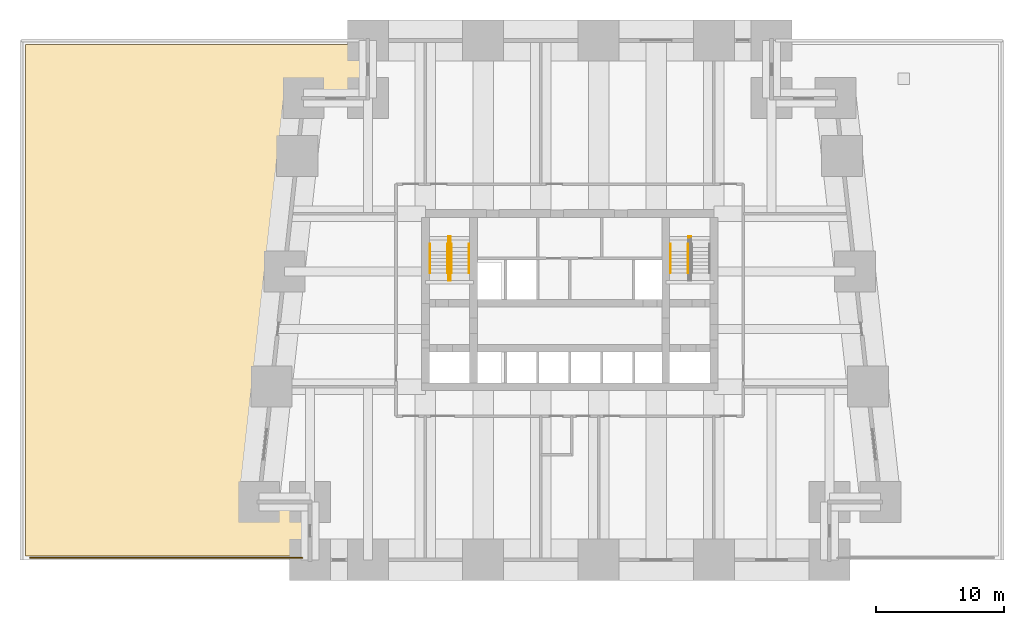
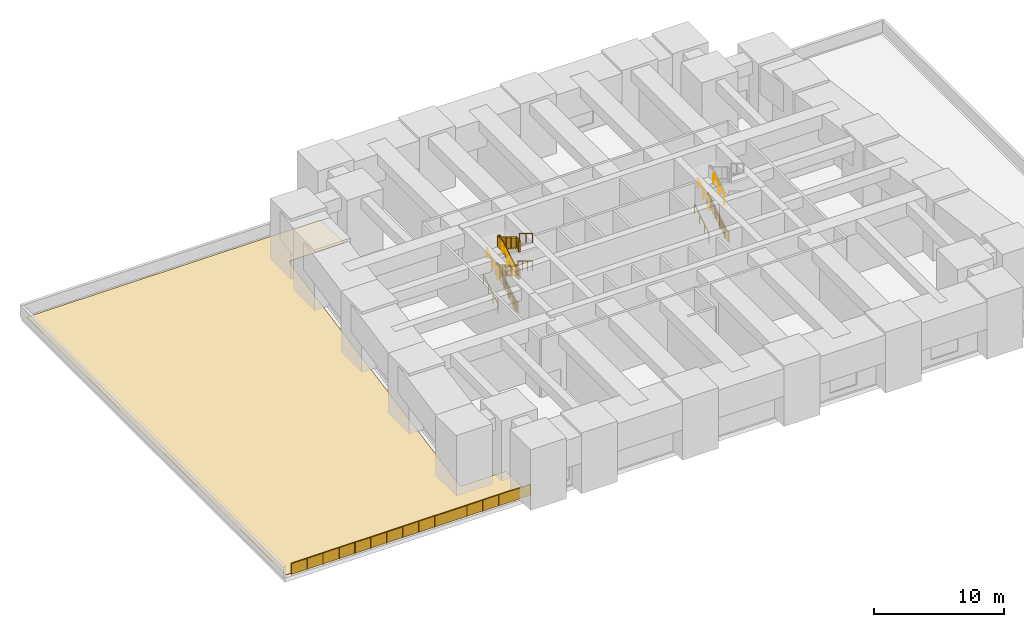
# One storey, part 6 of 7: 18 railings, 1 covering.
"""IFC4 building model written with IfcOpenShell, lengths in metres."""

from ifc_helpers import new_model, si_unit, direction, frame, origin, origin_2d, place, context, subcontext, project, spatial, polyline, circle, outline, extrude, material, layer, layer_set, type_object, element, save


model = new_model("IFC4")

# Units and contexts
model_context = context("Model", 3, precision=1e-05, world=origin(), true_north=direction((0.0, 1.0)))
body_context = subcontext(model_context, "Body", "Model", "MODEL_VIEW")
ifc_project = project(units=[si_unit("LENGTHUNIT", "METRE"), si_unit("AREAUNIT", "SQUARE_METRE"), si_unit("VOLUMEUNIT", "CUBIC_METRE"), si_unit("PLANEANGLEUNIT", "RADIAN"), si_unit("MASSUNIT", "GRAM", prefix="KILO")], contexts=[model_context])

# Site, building, storey
site_placement = place(None, origin())
site = spatial("IfcSite", under=ifc_project, at=site_placement, CompositionType="ELEMENT")
building_placement = place(site_placement, origin())
building = spatial("IfcBuilding", under=site, at=building_placement, Name="Kilele Tower Hotel", CompositionType="ELEMENT")
storey_placement = place(building_placement, frame((0.0, 0.0, 24.0)))
storey = spatial("IfcBuildingStorey", under=building, at=storey_placement, Name="L04", CompositionType="ELEMENT", Elevation=24.0)

# Railings
ifc_material_1 = material(Name="Toughened laminated glass balustrade", Category="glass")
railing_type_1 = type_object("IfcRailingType", Name="Glass balustrade 1100", PredefinedType="BALUSTRADE", material=ifc_material_1)
railing_1_placement = place(storey_placement, frame((3.89990234375, 0.14990234375, 0.0)))
element("IfcRailing", 1, at=railing_1_placement, inside=storey, type_object=railing_type_1, Name="Podium roof guard", PredefinedType="BALUSTRADE", context=body_context, shape_type="SweptSolid", body=[
    extrude(circle(Radius=0.030029296875, at=origin_2d()), frame((0.0, 0.0, 1.070068359375), z_axis=(-1.0, 0.0, 0.0), x_axis=(0.0, -1.0, 0.0)), (0.0, 0.0, 1.0), 21.25),
    extrude(circle(Radius=0.02490234375, at=origin_2d()), origin(), (0.0, 0.0, 1.0), 1.0400390625),
    extrude(circle(Radius=0.02490234375, at=origin_2d()), frame((-1.416748046875, 0.0, 0.0)), (0.0, 0.0, 1.0), 1.0400390625),
    extrude(circle(Radius=0.02490234375, at=origin_2d()), frame((-2.833251953125, 0.0, 0.0)), (0.0, 0.0, 1.0), 1.0400390625),
    extrude(circle(Radius=0.02490234375, at=origin_2d()), frame((-4.25, 0.0, 0.0)), (0.0, 0.0, 1.0), 1.0400390625),
    extrude(circle(Radius=0.02490234375, at=origin_2d()), frame((-5.666748046875, 0.0, 0.0)), (0.0, 0.0, 1.0), 1.0400390625),
    extrude(circle(Radius=0.02490234375, at=origin_2d()), frame((-7.083251953125, 0.0, 0.0)), (0.0, 0.0, 1.0), 1.0400390625),
    extrude(circle(Radius=0.02490234375, at=origin_2d()), frame((-8.5, 0.0, 0.0)), (0.0, 0.0, 1.0), 1.0400390625),
    extrude(circle(Radius=0.02490234375, at=origin_2d()), frame((-9.916748046875, 0.0, 0.0)), (0.0, 0.0, 1.0), 1.0400390625),
    extrude(circle(Radius=0.02490234375, at=origin_2d()), frame((-11.333251953125, 0.0, 0.0)), (0.0, 0.0, 1.0), 1.0400390625),
    extrude(circle(Radius=0.02490234375, at=origin_2d()), frame((-12.75, 0.0, 0.0)), (0.0, 0.0, 1.0), 1.0400390625),
    extrude(circle(Radius=0.02490234375, at=origin_2d()), frame((-14.166748046875, 0.0, 0.0)), (0.0, 0.0, 1.0), 1.0400390625),
    extrude(circle(Radius=0.02490234375, at=origin_2d()), frame((-15.583251953125, 0.0, 0.0)), (0.0, 0.0, 1.0), 1.0400390625),
    extrude(circle(Radius=0.02490234375, at=origin_2d()), frame((-17.0, 0.0, 0.0)), (0.0, 0.0, 1.0), 1.0400390625),
    extrude(circle(Radius=0.02490234375, at=origin_2d()), frame((-18.416748046875, 0.0, 0.0)), (0.0, 0.0, 1.0), 1.0400390625),
    extrude(circle(Radius=0.02490234375, at=origin_2d()), frame((-19.833251953125, 0.0, 0.0)), (0.0, 0.0, 1.0), 1.0400390625),
    extrude(circle(Radius=0.02490234375, at=origin_2d()), frame((-21.25, 0.0, 0.0)), (0.0, 0.0, 1.0), 1.0400390625),
    extrude(outline(polyline([(0.0, 0.030029296875), (21.25, 0.030029296875), (21.25, 1.0400390625), (0.0, 1.0400390625), (0.0, 0.030029296875)])), frame((0.0, -0.0087890625, 0.0), z_axis=(0.0, 1.0, 0.0), x_axis=(-1.0, 0.0, 0.0)), (0.0, 0.0, 1.0), 0.017578125),
])
ifc_material_2 = material(Name="Steel handrail", Category="steel")
railing_type_2 = type_object("IfcRailingType", Name="Handrail 900", PredefinedType="HANDRAIL", material=ifc_material_2)
for number, where, name in (
    (2, (13.85009765625, 22.3798828125, 0.172607421875), "Handrail ST1 flight 1"),
    (3, (15.22509765625, 22.3798828125, 0.172607421875), "Handrail ST1 flight 1"),
):
    element("IfcRailing", number, at=place(storey_placement, frame(where)), inside=storey, type_object=railing_type_2, Name=name, PredefinedType="HANDRAIL", context=body_context, shape_type="SweptSolid", body=[
        extrude(circle(Radius=0.02490234375, at=origin_2d()), frame((0.0, 0.0, 0.875), z_axis=(0.0, 0.851110085832, 0.524987258698), x_axis=(-1.0, 0.0, 0.0)), (0.0, 0.0, 1.0), 2.632080078125),
        extrude(circle(Radius=0.02001953125, at=origin_2d()), origin(), (0.0, 0.0, 1.0), 0.849853515625),
        extrude(circle(Radius=0.02001953125, at=origin_2d()), frame((0.0, 0.746826171875, 0.460693359375)), (0.0, 0.0, 1.0), 0.849853515625),
        extrude(circle(Radius=0.02001953125, at=origin_2d()), frame((0.0, 1.493408203125, 0.921142578125)), (0.0, 0.0, 1.0), 0.849853515625),
        extrude(circle(Radius=0.02001953125, at=origin_2d()), frame((0.0, 2.240234375, 1.3818359375)), (0.0, 0.0, 1.0), 0.849853515625),
    ])
for number, where, name in (
    (4, (15.52490234375, 24.6201171875, 1.727294921875), "Handrail ST1 flight 2"),
    (5, (16.89990234375, 24.6201171875, 1.727294921875), "Handrail ST1 flight 2"),
):
    element("IfcRailing", number, at=place(storey_placement, frame(where)), inside=storey, type_object=railing_type_2, Name=name, PredefinedType="HANDRAIL", context=body_context, shape_type="SweptSolid", body=[
        extrude(circle(Radius=0.02490234375, at=origin_2d()), frame((0.0, 0.0, 0.875), z_axis=(0.0, -0.851110085832, 0.524987258698), x_axis=(1.0, 0.0, 0.0)), (0.0, 0.0, 1.0), 2.632080078125),
        extrude(circle(Radius=0.02001953125, at=origin_2d()), origin(), (0.0, 0.0, 1.0), 0.849853515625),
        extrude(circle(Radius=0.02001953125, at=origin_2d()), frame((0.0, -0.746826171875, 0.460693359375)), (0.0, 0.0, 1.0), 0.849853515625),
        extrude(circle(Radius=0.02001953125, at=origin_2d()), frame((0.0, -1.493408203125, 0.921142578125)), (0.0, 0.0, 1.0), 0.849853515625),
        extrude(circle(Radius=0.02001953125, at=origin_2d()), frame((0.0, -2.240234375, 1.3818359375)), (0.0, 0.0, 1.0), 0.849853515625),
    ])
for number, where, name in (
    (6, (13.85009765625, 22.3798828125, 3.28173828125), "Handrail ST1 flight 3"),
    (7, (15.22509765625, 22.3798828125, 3.28173828125), "Handrail ST1 flight 3"),
):
    element("IfcRailing", number, at=place(storey_placement, frame(where)), inside=storey, type_object=railing_type_2, Name=name, PredefinedType="HANDRAIL", context=body_context, shape_type="SweptSolid", body=[
        extrude(circle(Radius=0.02490234375, at=origin_2d()), frame((0.0, 0.0, 0.875), z_axis=(0.0, 0.851110085832, 0.524987258698), x_axis=(-1.0, 0.0, 0.0)), (0.0, 0.0, 1.0), 1.97412109375),
        extrude(circle(Radius=0.02001953125, at=origin_2d()), origin(), (0.0, 0.0, 1.0), 0.849853515625),
        extrude(circle(Radius=0.02001953125, at=origin_2d()), frame((0.0, 0.840087890625, 0.51806640625)), (0.0, 0.0, 1.0), 0.849853515625),
        extrude(circle(Radius=0.02001953125, at=origin_2d()), frame((0.0, 1.68017578125, 1.036376953125)), (0.0, 0.0, 1.0), 0.849853515625),
    ])
for number, where, name in (
    (8, (15.52490234375, 24.340087890625, 4.490966796875), "Handrail ST1 flight 4"),
    (9, (16.89990234375, 24.340087890625, 4.490966796875), "Handrail ST1 flight 4"),
):
    element("IfcRailing", number, at=place(storey_placement, frame(where)), inside=storey, type_object=railing_type_2, Name=name, PredefinedType="HANDRAIL", context=body_context, shape_type="SweptSolid", body=[
        extrude(circle(Radius=0.02490234375, at=origin_2d()), frame((0.0, 0.0, 0.875), z_axis=(0.0, -0.851133768193, 0.524948862883), x_axis=(1.0, 0.0, 0.0)), (0.0, 0.0, 1.0), 2.302978515625),
        extrude(circle(Radius=0.02001953125, at=origin_2d()), origin(), (0.0, 0.0, 1.0), 0.849853515625),
        extrude(circle(Radius=0.02001953125, at=origin_2d()), frame((0.0, -0.97998046875, 0.6044921875)), (0.0, 0.0, 1.0), 0.849853515625),
        extrude(circle(Radius=0.02001953125, at=origin_2d()), frame((0.0, -1.960205078125, 1.208984375)), (0.0, 0.0, 1.0), 0.849853515625),
    ])
for number, where, name in (
    (10, (32.60009765625, 22.3798828125, 0.172607421875), "Handrail ST2 flight 1"),
    (11, (33.97509765625, 22.3798828125, 0.172607421875), "Handrail ST2 flight 1"),
):
    element("IfcRailing", number, at=place(storey_placement, frame(where)), inside=storey, type_object=railing_type_2, Name=name, PredefinedType="HANDRAIL", context=body_context, shape_type="SweptSolid", body=[
        extrude(circle(Radius=0.02490234375, at=origin_2d()), frame((0.0, 0.0, 0.875), z_axis=(0.0, 0.851110085832, 0.524987258698), x_axis=(-1.0, 0.0, 0.0)), (0.0, 0.0, 1.0), 2.632080078125),
        extrude(circle(Radius=0.02001953125, at=origin_2d()), origin(), (0.0, 0.0, 1.0), 0.849853515625),
        extrude(circle(Radius=0.02001953125, at=origin_2d()), frame((0.0, 0.746826171875, 0.460693359375)), (0.0, 0.0, 1.0), 0.849853515625),
        extrude(circle(Radius=0.02001953125, at=origin_2d()), frame((0.0, 1.493408203125, 0.921142578125)), (0.0, 0.0, 1.0), 0.849853515625),
        extrude(circle(Radius=0.02001953125, at=origin_2d()), frame((0.0, 2.240234375, 1.3818359375)), (0.0, 0.0, 1.0), 0.849853515625),
    ])
for number, where, name in (
    (12, (32.60009765625, 22.3798828125, 3.28173828125), "Handrail ST2 flight 3"),
    (13, (33.97509765625, 22.3798828125, 3.28173828125), "Handrail ST2 flight 3"),
):
    element("IfcRailing", number, at=place(storey_placement, frame(where)), inside=storey, type_object=railing_type_2, Name=name, PredefinedType="HANDRAIL", context=body_context, shape_type="SweptSolid", body=[
        extrude(circle(Radius=0.02490234375, at=origin_2d()), frame((0.0, 0.0, 0.875), z_axis=(0.0, 0.851110085832, 0.524987258698), x_axis=(-1.0, 0.0, 0.0)), (0.0, 0.0, 1.0), 1.97412109375),
        extrude(circle(Radius=0.02001953125, at=origin_2d()), origin(), (0.0, 0.0, 1.0), 0.849853515625),
        extrude(circle(Radius=0.02001953125, at=origin_2d()), frame((0.0, 0.840087890625, 0.51806640625)), (0.0, 0.0, 1.0), 0.849853515625),
        extrude(circle(Radius=0.02001953125, at=origin_2d()), frame((0.0, 1.68017578125, 1.036376953125)), (0.0, 0.0, 1.0), 0.849853515625),
    ])

# Covering
ifc_material_3 = material(Name="Bituminous roofing membrane with light stone mineral cap sheet", Category="masonry")
ifc_layer = layer(ifc_material_3, 0.02001953125)
ifc_layer_set = layer_set([ifc_layer], Name="Bituminous roofing membrane with light stone mineral cap sheet")
covering_type = type_object("IfcCoveringType", Name="Roofing membrane 20", PredefinedType="ROOFING", material=ifc_layer_set)
covering_placement = place(storey_placement, origin())
element("IfcCovering", 14, at=covering_placement, inside=storey, type_object=covering_type, Name="Podium roofing", PredefinedType="ROOFING", context=body_context, shape_type="SweptSolid", body=[
    extrude(outline(polyline([(-17.699951171875, 0.300048828125), (-17.699951171875, 40.199951171875), (8.39892578125, 40.199951171875), (8.39892578125, 36.60107421875), (3.660400390625, 36.60107421875), (3.55322265625, 36.547607421875), (3.518798828125, 36.512939453125), (3.5185546875, 36.5126953125), (3.48388671875, 36.478271484375), (3.438232421875, 36.38671875), (-0.13623046875, 4.216796875), (-0.13623046875, 4.151123046875), (-0.098388671875, 4.037353515625), (-0.013427734375, 3.952392578125), (0.09375, 3.89892578125), (3.89892578125, 3.89892578125), (3.89892578125, 0.300048828125), (-17.699951171875, 0.300048828125)])), origin(), (0.0, 0.0, 1.0), 0.02001953125),
])

# Railings
ifc_material_4 = material(Name="Steel guard", Category="steel")
railing_type_3 = type_object("IfcRailingType", Name="Stair guard 1100", PredefinedType="GUARDRAIL", material=ifc_material_4)
railing_2_placement = place(storey_placement, frame((15.284912109375, 21.77490234375, 0.0)))
element("IfcRailing", 15, at=railing_2_placement, inside=storey, type_object=railing_type_3, Name="Stair well guard ST1 flight 1", PredefinedType="GUARDRAIL", context=body_context, shape_type="SweptSolid", body=[
    extrude(circle(Radius=0.02490234375, at=origin_2d()), frame((0.0, 0.0, 1.0751953125), z_axis=(0.0, 1.0, 0.0), x_axis=(-1.0, 0.0, 0.0)), (0.0, 0.0, 1.0), 0.3251953125),
    extrude(circle(Radius=0.02490234375, at=origin_2d()), frame((0.0, 0.3251953125, 1.0751953125), z_axis=(0.0, 0.851105781573, 0.524994236705), x_axis=(-1.0, 0.0, 0.0)), (0.0, 0.0, 1.0), 2.9609375),
    extrude(circle(Radius=0.02490234375, at=origin_2d()), frame((0.0, 2.84521484375, 2.62939453125), z_axis=(0.0, 1.0, 0.0), x_axis=(-1.0, 0.0, 0.0)), (0.0, 0.0, 1.0), 0.60498046875),
    extrude(circle(Radius=0.02490234375, at=origin_2d()), frame((0.0, 3.4501953125, 2.62939453125), z_axis=(1.0, 0.0, 0.0), x_axis=(0.0, 1.0, 0.0)), (0.0, 0.0, 1.0), 0.18017578125),
    extrude(circle(Radius=0.02490234375, at=origin_2d()), origin(), (0.0, 0.0, 1.0), 1.050048828125),
    extrude(circle(Radius=0.02490234375, at=origin_2d()), frame((0.0, 0.3251953125, 0.0)), (0.0, 0.0, 1.0), 1.050048828125),
    extrude(circle(Radius=0.02490234375, at=origin_2d()), frame((0.0, 1.165283203125, 0.51806640625)), (0.0, 0.0, 1.0), 1.050048828125),
    extrude(circle(Radius=0.02490234375, at=origin_2d()), frame((0.0, 2.005126953125, 1.036376953125)), (0.0, 0.0, 1.0), 1.050048828125),
    extrude(circle(Radius=0.02490234375, at=origin_2d()), frame((0.0, 2.84521484375, 1.554443359375)), (0.0, 0.0, 1.0), 1.050048828125),
    extrude(circle(Radius=0.02490234375, at=origin_2d()), frame((0.0, 3.4501953125, 1.554443359375)), (0.0, 0.0, 1.0), 1.050048828125),
    extrude(circle(Radius=0.02490234375, at=origin_2d()), frame((0.18017578125, 3.4501953125, 1.554443359375)), (0.0, 0.0, 1.0), 1.050048828125),
    extrude(outline(polyline([(0.0, 0.030029296875), (0.312744140625, 0.030029296875), (0.312744140625, 1.050048828125), (0.0, 1.050048828125), (0.0, 0.030029296875)])), frame((-0.005859375, 0.0, 0.0), z_axis=(1.0, 0.0, 0.0), x_axis=(0.0, 1.0, 0.0)), (0.0, 0.0, 1.0), 0.011962890625),
    extrude(outline(polyline([(0.012451171875, 0.030029296875), (0.25, 0.030029296875), (0.25, 0.20263671875), (0.530029296875, 0.20263671875), (0.530029296875, 0.37548828125), (0.81005859375, 0.37548828125), (0.81005859375, 0.548095703125), (1.090087890625, 0.548095703125), (1.090087890625, 0.720947265625), (1.369873046875, 0.720947265625), (1.369873046875, 0.8935546875), (1.64990234375, 0.8935546875), (1.64990234375, 1.06640625), (1.929931640625, 1.06640625), (1.929931640625, 1.239013671875), (2.2099609375, 1.239013671875), (2.2099609375, 1.411865234375), (2.489990234375, 1.411865234375), (2.489990234375, 1.58447265625), (2.507568359375, 1.58447265625), (2.507568359375, 2.592529296875), (0.012451171875, 1.053466796875), (0.012451171875, 0.030029296875)])), frame((-0.005859375, 0.3251953125, 0.0), z_axis=(1.0, 0.0, 0.0), x_axis=(0.0, 1.0, 0.0)), (0.0, 0.0, 1.0), 0.011962890625),
    extrude(outline(polyline([(0.012451171875, 0.030029296875), (0.592529296875, 0.030029296875), (0.592529296875, 1.050048828125), (0.012451171875, 1.050048828125), (0.012451171875, 0.030029296875)])), frame((-0.005859375, 2.84521484375, 1.554443359375), z_axis=(1.0, 0.0, 0.0), x_axis=(0.0, 1.0, 0.0)), (0.0, 0.0, 1.0), 0.011962890625),
    extrude(outline(polyline([(0.012451171875, 0.030029296875), (0.18017578125, 0.030029296875), (0.18017578125, 1.050048828125), (0.012451171875, 1.050048828125), (0.012451171875, 0.030029296875)])), frame((0.0, 3.4560546875, 1.554443359375), z_axis=(0.0, -1.0, 0.0), x_axis=(1.0, 0.0, 0.0)), (0.0, 0.0, 1.0), 0.011962890625),
])
railing_3_placement = place(storey_placement, frame((15.465087890625, 25.22509765625, 1.554443359375)))
element("IfcRailing", 16, at=railing_3_placement, inside=storey, type_object=railing_type_3, Name="Stair well guard ST1 flight 2", PredefinedType="GUARDRAIL", context=body_context, shape_type="SweptSolid", body=[
    extrude(circle(Radius=0.02490234375, at=origin_2d()), frame((0.0, 0.0, 1.0751953125), z_axis=(0.0, -1.0, 0.0), x_axis=(1.0, 0.0, 0.0)), (0.0, 0.0, 1.0), 0.3251953125),
    extrude(circle(Radius=0.02490234375, at=origin_2d()), frame((0.0, -0.3251953125, 1.0751953125), z_axis=(0.0, -0.851068937836, 0.525053962037), x_axis=(1.0, 0.0, 0.0)), (0.0, 0.0, 1.0), 2.9609375),
    extrude(circle(Radius=0.02490234375, at=origin_2d()), frame((0.0, -2.84521484375, 2.6298828125), z_axis=(0.0, -1.0, 0.0), x_axis=(1.0, 0.0, 0.0)), (0.0, 0.0, 1.0), 0.60498046875),
    extrude(circle(Radius=0.02490234375, at=origin_2d()), frame((0.0, -3.4501953125, 2.6298828125), z_axis=(-1.0, 0.0, 0.0), x_axis=(0.0, -1.0, 0.0)), (0.0, 0.0, 1.0), 0.18017578125),
    extrude(circle(Radius=0.02490234375, at=origin_2d()), origin(), (0.0, 0.0, 1.0), 1.050048828125),
    extrude(circle(Radius=0.02490234375, at=origin_2d()), frame((0.0, -0.3251953125, 0.0)), (0.0, 0.0, 1.0), 1.050048828125),
    extrude(circle(Radius=0.02490234375, at=origin_2d()), frame((0.0, -1.165283203125, 0.518310546875)), (0.0, 0.0, 1.0), 1.050048828125),
    extrude(circle(Radius=0.02490234375, at=origin_2d()), frame((0.0, -2.005126953125, 1.036376953125)), (0.0, 0.0, 1.0), 1.050048828125),
    extrude(circle(Radius=0.02490234375, at=origin_2d()), frame((0.0, -2.84521484375, 1.5546875)), (0.0, 0.0, 1.0), 1.050048828125),
    extrude(circle(Radius=0.02490234375, at=origin_2d()), frame((0.0, -3.4501953125, 1.5546875)), (0.0, 0.0, 1.0), 1.050048828125),
    extrude(circle(Radius=0.02490234375, at=origin_2d()), frame((-0.18017578125, -3.4501953125, 1.5546875)), (0.0, 0.0, 1.0), 1.050048828125),
    extrude(outline(polyline([(0.0, 0.030029296875), (0.312744140625, 0.030029296875), (0.312744140625, 1.050048828125), (0.0, 1.050048828125), (0.0, 0.030029296875)])), frame((0.005859375, 0.0, 0.0), z_axis=(-1.0, 0.0, 0.0), x_axis=(0.0, -1.0, 0.0)), (0.0, 0.0, 1.0), 0.011962890625),
    extrude(outline(polyline([(0.012451171875, 0.030029296875), (0.25, 0.030029296875), (0.25, 0.202880859375), (0.530029296875, 0.202880859375), (0.530029296875, 0.37548828125), (0.81005859375, 0.37548828125), (0.81005859375, 0.54833984375), (1.090087890625, 0.54833984375), (1.090087890625, 0.720947265625), (1.369873046875, 0.720947265625), (1.369873046875, 0.893798828125), (1.64990234375, 0.893798828125), (1.64990234375, 1.06640625), (1.929931640625, 1.06640625), (1.929931640625, 1.2392578125), (2.2099609375, 1.2392578125), (2.2099609375, 1.411865234375), (2.489990234375, 1.411865234375), (2.489990234375, 1.584716796875), (2.507568359375, 1.584716796875), (2.507568359375, 2.5927734375), (0.012451171875, 1.053466796875), (0.012451171875, 0.030029296875)])), frame((0.005859375, -0.3251953125, 0.0), z_axis=(-1.0, 0.0, 0.0), x_axis=(0.0, -1.0, 0.0)), (0.0, 0.0, 1.0), 0.011962890625),
    extrude(outline(polyline([(0.012451171875, 0.030029296875), (0.592529296875, 0.030029296875), (0.592529296875, 1.050048828125), (0.012451171875, 1.050048828125), (0.012451171875, 0.030029296875)])), frame((0.005859375, -2.84521484375, 1.5546875), z_axis=(-1.0, 0.0, 0.0), x_axis=(0.0, -1.0, 0.0)), (0.0, 0.0, 1.0), 0.011962890625),
    extrude(outline(polyline([(0.012451171875, 0.030029296875), (0.18017578125, 0.030029296875), (0.18017578125, 1.050048828125), (0.012451171875, 1.050048828125), (0.012451171875, 0.030029296875)])), frame((0.0, -3.4560546875, 1.5546875), z_axis=(0.0, 1.0, 0.0), x_axis=(-1.0, 0.0, 0.0)), (0.0, 0.0, 1.0), 0.011962890625),
])
railing_4_placement = place(storey_placement, frame((15.284912109375, 21.77490234375, 3.109130859375)))
element("IfcRailing", 17, at=railing_4_placement, inside=storey, type_object=railing_type_3, Name="Stair well guard ST1 flight 3", PredefinedType="GUARDRAIL", context=body_context, shape_type="SweptSolid", body=[
    extrude(circle(Radius=0.02490234375, at=origin_2d()), frame((0.0, 0.0, 1.0751953125), z_axis=(0.0, 1.0, 0.0), x_axis=(-1.0, 0.0, 0.0)), (0.0, 0.0, 1.0), 0.3251953125),
    extrude(circle(Radius=0.02490234375, at=origin_2d()), frame((0.0, 0.3251953125, 1.0751953125), z_axis=(0.0, 0.851104551628, 0.524996230651), x_axis=(-1.0, 0.0, 0.0)), (0.0, 0.0, 1.0), 2.302734375),
    extrude(circle(Radius=0.02490234375, at=origin_2d()), frame((0.0, 2.28515625, 2.2841796875), z_axis=(0.0, 1.0, 0.0), x_axis=(-1.0, 0.0, 0.0)), (0.0, 0.0, 1.0), 0.885009765625),
    extrude(circle(Radius=0.02490234375, at=origin_2d()), frame((0.0, 3.170166015625, 2.2841796875), z_axis=(1.0, 0.0, 0.0), x_axis=(0.0, 1.0, 0.0)), (0.0, 0.0, 1.0), 0.18017578125),
    extrude(circle(Radius=0.02490234375, at=origin_2d()), origin(), (0.0, 0.0, 1.0), 1.050048828125),
    extrude(circle(Radius=0.02490234375, at=origin_2d()), frame((0.0, 0.3251953125, 0.0)), (0.0, 0.0, 1.0), 1.050048828125),
    extrude(circle(Radius=0.02490234375, at=origin_2d()), frame((0.0, 1.30517578125, 0.6044921875)), (0.0, 0.0, 1.0), 1.050048828125),
    extrude(circle(Radius=0.02490234375, at=origin_2d()), frame((0.0, 2.28515625, 1.208984375)), (0.0, 0.0, 1.0), 1.050048828125),
    extrude(circle(Radius=0.02490234375, at=origin_2d()), frame((0.0, 3.170166015625, 1.208984375)), (0.0, 0.0, 1.0), 1.050048828125),
    extrude(circle(Radius=0.02490234375, at=origin_2d()), frame((0.18017578125, 3.170166015625, 1.208984375)), (0.0, 0.0, 1.0), 1.050048828125),
    extrude(outline(polyline([(0.0, 0.030029296875), (0.312744140625, 0.030029296875), (0.312744140625, 1.050048828125), (0.0, 1.050048828125), (0.0, 0.030029296875)])), frame((-0.005859375, 0.0, 0.0), z_axis=(1.0, 0.0, 0.0), x_axis=(0.0, 1.0, 0.0)), (0.0, 0.0, 1.0), 0.011962890625),
    extrude(outline(polyline([(0.012451171875, 0.030029296875), (0.25, 0.030029296875), (0.25, 0.20263671875), (0.530029296875, 0.20263671875), (0.530029296875, 0.37548828125), (0.81005859375, 0.37548828125), (0.81005859375, 0.548095703125), (1.08984375, 0.548095703125), (1.08984375, 0.720947265625), (1.369873046875, 0.720947265625), (1.369873046875, 0.8935546875), (1.64990234375, 0.8935546875), (1.64990234375, 1.06640625), (1.929931640625, 1.06640625), (1.929931640625, 1.239013671875), (1.947509765625, 1.239013671875), (1.947509765625, 2.2470703125), (0.012451171875, 1.053466796875), (0.012451171875, 0.030029296875)])), frame((-0.005859375, 0.3251953125, 0.0), z_axis=(1.0, 0.0, 0.0), x_axis=(0.0, 1.0, 0.0)), (0.0, 0.0, 1.0), 0.011962890625),
    extrude(outline(polyline([(0.012451171875, 0.030029296875), (0.87255859375, 0.030029296875), (0.87255859375, 1.050048828125), (0.012451171875, 1.050048828125), (0.012451171875, 0.030029296875)])), frame((-0.005859375, 2.28515625, 1.208984375), z_axis=(1.0, 0.0, 0.0), x_axis=(0.0, 1.0, 0.0)), (0.0, 0.0, 1.0), 0.011962890625),
    extrude(outline(polyline([(0.012451171875, 0.030029296875), (0.18017578125, 0.030029296875), (0.18017578125, 1.050048828125), (0.012451171875, 1.050048828125), (0.012451171875, 0.030029296875)])), frame((0.0, 3.17626953125, 1.208984375), z_axis=(0.0, -1.0, 0.0), x_axis=(1.0, 0.0, 0.0)), (0.0, 0.0, 1.0), 0.011962890625),
])
railing_5_placement = place(storey_placement, frame((15.465087890625, 24.945068359375, 4.318115234375)))
element("IfcRailing", 18, at=railing_5_placement, inside=storey, type_object=railing_type_3, Name="Stair well guard ST1 flight 4", PredefinedType="GUARDRAIL", context=body_context, shape_type="SweptSolid", body=[
    extrude(circle(Radius=0.02490234375, at=origin_2d()), frame((0.0, 0.0, 1.0751953125), z_axis=(0.0, -1.0, 0.0), x_axis=(1.0, 0.0, 0.0)), (0.0, 0.0, 1.0), 0.324951171875),
    extrude(circle(Radius=0.02490234375, at=origin_2d()), frame((0.0, -0.324951171875, 1.0751953125), z_axis=(0.0, -0.851110085832, 0.524987258698), x_axis=(1.0, 0.0, 0.0)), (0.0, 0.0, 1.0), 2.632080078125),
    extrude(circle(Radius=0.02490234375, at=origin_2d()), frame((0.0, -2.565185546875, 2.45703125), z_axis=(0.0, -1.0, 0.0), x_axis=(1.0, 0.0, 0.0)), (0.0, 0.0, 1.0), 0.60498046875),
    extrude(circle(Radius=0.02490234375, at=origin_2d()), frame((0.0, -3.170166015625, 2.45703125), z_axis=(-1.0, 0.0, 0.0), x_axis=(0.0, -1.0, 0.0)), (0.0, 0.0, 1.0), 0.18017578125),
    extrude(circle(Radius=0.02490234375, at=origin_2d()), origin(), (0.0, 0.0, 1.0), 1.050048828125),
    extrude(circle(Radius=0.02490234375, at=origin_2d()), frame((0.0, -0.324951171875, 0.0)), (0.0, 0.0, 1.0), 1.050048828125),
    extrude(circle(Radius=0.02490234375, at=origin_2d()), frame((0.0, -1.07177734375, 0.460693359375)), (0.0, 0.0, 1.0), 1.050048828125),
    extrude(circle(Radius=0.02490234375, at=origin_2d()), frame((0.0, -1.818359375, 0.921142578125)), (0.0, 0.0, 1.0), 1.050048828125),
    extrude(circle(Radius=0.02490234375, at=origin_2d()), frame((0.0, -2.565185546875, 1.3818359375)), (0.0, 0.0, 1.0), 1.050048828125),
    extrude(circle(Radius=0.02490234375, at=origin_2d()), frame((0.0, -3.170166015625, 1.3818359375)), (0.0, 0.0, 1.0), 1.050048828125),
    extrude(circle(Radius=0.02490234375, at=origin_2d()), frame((-0.18017578125, -3.170166015625, 1.3818359375)), (0.0, 0.0, 1.0), 1.050048828125),
    extrude(outline(polyline([(0.0, 0.030029296875), (0.3125, 0.030029296875), (0.3125, 1.050048828125), (0.0, 1.050048828125), (0.0, 0.030029296875)])), frame((0.005859375, 0.0, 0.0), z_axis=(-1.0, 0.0, 0.0), x_axis=(0.0, -1.0, 0.0)), (0.0, 0.0, 1.0), 0.011962890625),
    extrude(outline(polyline([(0.012451171875, 0.030029296875), (0.25, 0.030029296875), (0.25, 0.20263671875), (0.530029296875, 0.20263671875), (0.530029296875, 0.37548828125), (0.81005859375, 0.37548828125), (0.81005859375, 0.54833984375), (1.090087890625, 0.54833984375), (1.090087890625, 0.720947265625), (1.3701171875, 0.720947265625), (1.3701171875, 0.8935546875), (1.650146484375, 0.8935546875), (1.650146484375, 1.06640625), (1.93017578125, 1.06640625), (1.93017578125, 1.2392578125), (2.210205078125, 1.2392578125), (2.210205078125, 1.411865234375), (2.227783203125, 1.411865234375), (2.227783203125, 2.419921875), (0.012451171875, 1.053466796875), (0.012451171875, 0.030029296875)])), frame((0.005859375, -0.324951171875, 0.0), z_axis=(-1.0, 0.0, 0.0), x_axis=(0.0, -1.0, 0.0)), (0.0, 0.0, 1.0), 0.011962890625),
    extrude(outline(polyline([(0.012451171875, 0.030029296875), (0.592529296875, 0.030029296875), (0.592529296875, 1.050048828125), (0.012451171875, 1.050048828125), (0.012451171875, 0.030029296875)])), frame((0.005859375, -2.565185546875, 1.3818359375), z_axis=(-1.0, 0.0, 0.0), x_axis=(0.0, -1.0, 0.0)), (0.0, 0.0, 1.0), 0.011962890625),
    extrude(outline(polyline([(0.012451171875, 0.030029296875), (0.18017578125, 0.030029296875), (0.18017578125, 1.050048828125), (0.012451171875, 1.050048828125), (0.012451171875, 0.030029296875)])), frame((0.0, -3.17626953125, 1.3818359375), z_axis=(0.0, 1.0, 0.0), x_axis=(-1.0, 0.0, 0.0)), (0.0, 0.0, 1.0), 0.011962890625),
])
railing_6_placement = place(storey_placement, frame((34.034912109375, 21.77490234375, 0.0)))
element("IfcRailing", 19, at=railing_6_placement, inside=storey, type_object=railing_type_3, Name="Stair well guard ST2 flight 1", PredefinedType="GUARDRAIL", context=body_context, shape_type="SweptSolid", body=[
    extrude(circle(Radius=0.02490234375, at=origin_2d()), frame((0.0, 0.0, 1.0751953125), z_axis=(0.0, 1.0, 0.0), x_axis=(-1.0, 0.0, 0.0)), (0.0, 0.0, 1.0), 0.3251953125),
    extrude(circle(Radius=0.02490234375, at=origin_2d()), frame((0.0, 0.3251953125, 1.0751953125), z_axis=(0.0, 0.851105781573, 0.524994236705), x_axis=(-1.0, 0.0, 0.0)), (0.0, 0.0, 1.0), 2.9609375),
    extrude(circle(Radius=0.02490234375, at=origin_2d()), frame((0.0, 2.84521484375, 2.62939453125), z_axis=(0.0, 1.0, 0.0), x_axis=(-1.0, 0.0, 0.0)), (0.0, 0.0, 1.0), 0.60498046875),
    extrude(circle(Radius=0.02490234375, at=origin_2d()), frame((0.0, 3.4501953125, 2.62939453125), z_axis=(1.0, 0.0, 0.0), x_axis=(0.0, 1.0, 0.0)), (0.0, 0.0, 1.0), 0.18017578125),
    extrude(circle(Radius=0.02490234375, at=origin_2d()), origin(), (0.0, 0.0, 1.0), 1.050048828125),
    extrude(circle(Radius=0.02490234375, at=origin_2d()), frame((0.0, 0.3251953125, 0.0)), (0.0, 0.0, 1.0), 1.050048828125),
    extrude(circle(Radius=0.02490234375, at=origin_2d()), frame((0.0, 1.165283203125, 0.51806640625)), (0.0, 0.0, 1.0), 1.050048828125),
    extrude(circle(Radius=0.02490234375, at=origin_2d()), frame((0.0, 2.005126953125, 1.036376953125)), (0.0, 0.0, 1.0), 1.050048828125),
    extrude(circle(Radius=0.02490234375, at=origin_2d()), frame((0.0, 2.84521484375, 1.554443359375)), (0.0, 0.0, 1.0), 1.050048828125),
    extrude(circle(Radius=0.02490234375, at=origin_2d()), frame((0.0, 3.4501953125, 1.554443359375)), (0.0, 0.0, 1.0), 1.050048828125),
    extrude(circle(Radius=0.02490234375, at=origin_2d()), frame((0.18017578125, 3.4501953125, 1.554443359375)), (0.0, 0.0, 1.0), 1.050048828125),
    extrude(outline(polyline([(0.0, 0.030029296875), (0.312744140625, 0.030029296875), (0.312744140625, 1.050048828125), (0.0, 1.050048828125), (0.0, 0.030029296875)])), frame((-0.005859375, 0.0, 0.0), z_axis=(1.0, 0.0, 0.0), x_axis=(0.0, 1.0, 0.0)), (0.0, 0.0, 1.0), 0.011962890625),
    extrude(outline(polyline([(0.012451171875, 0.030029296875), (0.25, 0.030029296875), (0.25, 0.20263671875), (0.530029296875, 0.20263671875), (0.530029296875, 0.37548828125), (0.81005859375, 0.37548828125), (0.81005859375, 0.548095703125), (1.090087890625, 0.548095703125), (1.090087890625, 0.720947265625), (1.369873046875, 0.720947265625), (1.369873046875, 0.8935546875), (1.64990234375, 0.8935546875), (1.64990234375, 1.06640625), (1.929931640625, 1.06640625), (1.929931640625, 1.239013671875), (2.2099609375, 1.239013671875), (2.2099609375, 1.411865234375), (2.489990234375, 1.411865234375), (2.489990234375, 1.58447265625), (2.507568359375, 1.58447265625), (2.507568359375, 2.592529296875), (0.012451171875, 1.053466796875), (0.012451171875, 0.030029296875)])), frame((-0.005859375, 0.3251953125, 0.0), z_axis=(1.0, 0.0, 0.0), x_axis=(0.0, 1.0, 0.0)), (0.0, 0.0, 1.0), 0.011962890625),
    extrude(outline(polyline([(0.012451171875, 0.030029296875), (0.592529296875, 0.030029296875), (0.592529296875, 1.050048828125), (0.012451171875, 1.050048828125), (0.012451171875, 0.030029296875)])), frame((-0.005859375, 2.84521484375, 1.554443359375), z_axis=(1.0, 0.0, 0.0), x_axis=(0.0, 1.0, 0.0)), (0.0, 0.0, 1.0), 0.011962890625),
    extrude(outline(polyline([(0.012451171875, 0.030029296875), (0.18017578125, 0.030029296875), (0.18017578125, 1.050048828125), (0.012451171875, 1.050048828125), (0.012451171875, 0.030029296875)])), frame((0.0, 3.4560546875, 1.554443359375), z_axis=(0.0, -1.0, 0.0), x_axis=(1.0, 0.0, 0.0)), (0.0, 0.0, 1.0), 0.011962890625),
])

save(model, "model.ifc")
